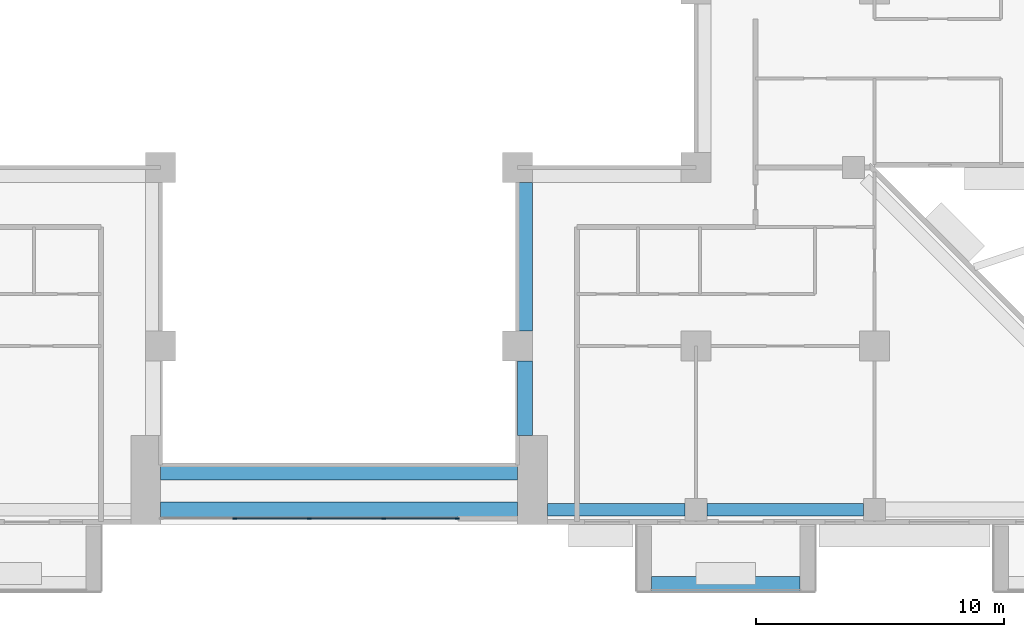
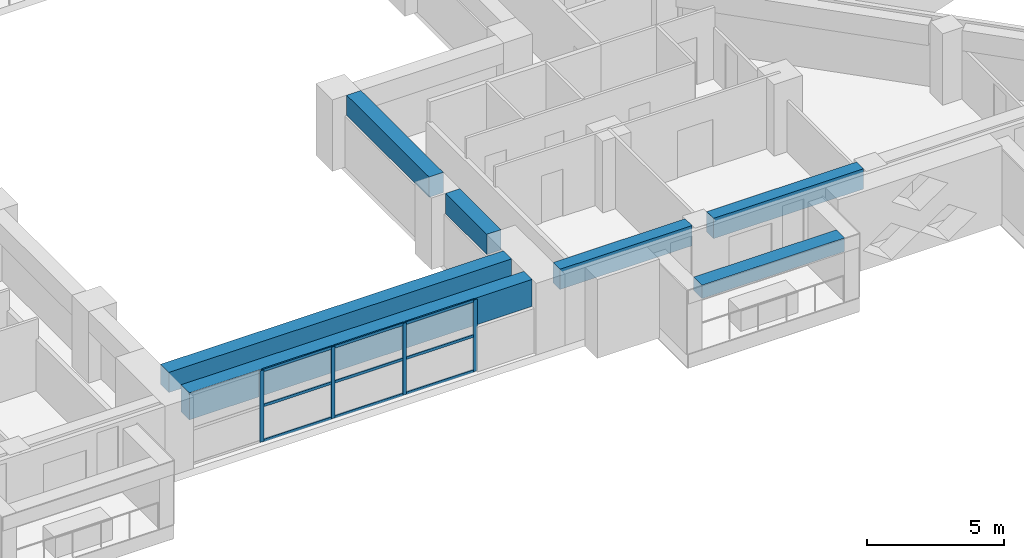
# One storey, part 4 of 17: 13 members, 7 beams, 1 element without a shape of its own.
"""IFC4 building model written with IfcOpenShell, lengths in metres."""

from ifc_helpers import new_model, si_unit, direction, frame, origin, origin_2d, place, context, subcontext, project, spatial, rectangle, extrude, source, transform, mapped, material, layer, layer_set, material_profile, profile_set, type_object, element, aggregate, save


model = new_model("IFC4")

# Units and contexts
model_context = context("Model", 3, precision=1e-05, world=origin(), true_north=direction((0.0, 1.0)))
body_context = subcontext(model_context, "Body", "Model", "MODEL_VIEW")
ifc_project = project(units=[si_unit("LENGTHUNIT", "METRE"), si_unit("AREAUNIT", "SQUARE_METRE"), si_unit("VOLUMEUNIT", "CUBIC_METRE"), si_unit("PLANEANGLEUNIT", "RADIAN"), si_unit("MASSUNIT", "GRAM", prefix="KILO")], contexts=[model_context])

# Site, building, storey
site_placement = place(None, origin())
site = spatial("IfcSite", under=ifc_project, at=site_placement, CompositionType="ELEMENT")
building_placement = place(site_placement, origin())
building = spatial("IfcBuilding", under=site, at=building_placement, Name="Saffron Iwan Residences", CompositionType="ELEMENT")
storey_placement = place(building_placement, frame((0.0, 0.0, 97.0)))
storey = spatial("IfcBuildingStorey", under=building, at=storey_placement, Name="L25", CompositionType="ELEMENT", Elevation=97.0)

# Beams
ifc_material_1 = material(Name="Concrete C60/75", Category="concrete")
ifc_material_profile_1 = material_profile(ifc_material_1, rectangle(XDim=0.60009765625, YDim=1.199951171875, at=origin_2d()), Name="RC 600x1200")
ifc_profile_set_1 = profile_set([ifc_material_profile_1], Name="Concrete C60/75")
beam_type_1 = type_object("IfcBeamType", Name="LINTEL BEAM RC 600x1200 C60/75 TOP 3180", PredefinedType="LINTEL", material=ifc_profile_set_1)
shared_shape_1 = source(origin(), body_context, "Body", "SweptSolid", [
    extrude(rectangle(XDim=0.60009765625, YDim=1.199951171875, at=origin_2d()), origin(), (0.0, 0.0, 1.0), 14.400146484375),
])
beam_1_placement = place(storey_placement, frame((57.60009765625, 34.199951171875, 2.580078125), z_axis=(-1.0, 0.0, 0.0), x_axis=(0.0, -1.0, 0.0)))
element("IfcBeam", 1, at=beam_1_placement, inside=storey, type_object=beam_type_1, Name="Lintel beam over the iwan", PredefinedType="LINTEL", context=body_context, shape_type="MappedRepresentation", body=[
    mapped(shared_shape_1, transform((0.0, 0.0, 0.0))),
])
ifc_material_profile_2 = material_profile(ifc_material_1, rectangle(XDim=0.60009765625, YDim=0.89990234375, at=origin_2d()), Name="RC 600x900")
ifc_profile_set_2 = profile_set([ifc_material_profile_2], Name="Concrete C60/75")
beam_type_2 = type_object("IfcBeamType", Name="BEAM RC 600x900 C60/75 TOP 3180", PredefinedType="BEAM", material=ifc_profile_set_2)
shared_shape_2 = source(origin(), body_context, "Body", "SweptSolid", [
    extrude(rectangle(XDim=0.60009765625, YDim=0.89990234375, at=origin_2d()), origin(), (0.0, 0.0, 1.0), 14.400146484375),
])
beam_2_placement = place(storey_placement, frame((57.60009765625, 35.699951171875, 2.72998046875), z_axis=(-1.0, 0.0, 0.0), x_axis=(0.0, -1.0, 0.0)))
element("IfcBeam", 2, at=beam_2_placement, inside=storey, type_object=beam_type_2, Name="Atrium edge beam", PredefinedType="BEAM", context=body_context, shape_type="MappedRepresentation", body=[
    mapped(shared_shape_2, transform((0.0, 0.0, 0.0))),
])
ifc_material_profile_3 = material_profile(ifc_material_1, rectangle(XDim=0.5, YDim=0.89990234375, at=origin_2d()), Name="RC 500x900")
ifc_profile_set_3 = profile_set([ifc_material_profile_3], Name="Concrete C60/75")
beam_type_3 = type_object("IfcBeamType", Name="SPANDREL BEAM RC 500x900 C60/75 TOP 3180", PredefinedType="SPANDREL", material=ifc_profile_set_3)
shared_shape_3 = source(origin(), body_context, "Body", "SweptSolid", [
    extrude(rectangle(XDim=0.5, YDim=0.89990234375, at=origin_2d()), origin(), (0.0, 0.0, 1.0), 6.300048828125),
])
beam_3_placement = place(storey_placement, frame((71.550048828125, 34.199951171875, 2.72998046875), z_axis=(-1.0, 0.0, 0.0), x_axis=(0.0, -1.0, 0.0)))
element("IfcBeam", 3, at=beam_3_placement, inside=storey, type_object=beam_type_3, Name="Spandrel beam", PredefinedType="SPANDREL", context=body_context, shape_type="MappedRepresentation", body=[
    mapped(shared_shape_3, transform((0.0, 0.0, 0.0))),
])
shared_shape_4 = source(origin(), body_context, "Body", "SweptSolid", [
    extrude(rectangle(XDim=0.5, YDim=0.89990234375, at=origin_2d()), origin(), (0.0, 0.0, 1.0), 5.550048828125),
])
beam_4_placement = place(storey_placement, frame((64.35009765625, 34.199951171875, 2.72998046875), z_axis=(-1.0, 0.0, 0.0), x_axis=(0.0, -1.0, 0.0)))
element("IfcBeam", 4, at=beam_4_placement, inside=storey, type_object=beam_type_3, Name="Spandrel beam", PredefinedType="SPANDREL", context=body_context, shape_type="MappedRepresentation", body=[
    mapped(shared_shape_4, transform((0.0, 0.0, 0.0))),
])
shared_shape_5 = source(origin(), body_context, "Body", "SweptSolid", [
    extrude(rectangle(XDim=0.60009765625, YDim=0.89990234375, at=origin_2d()), origin(), (0.0, 0.0, 1.0), 3.0),
])
beam_5_placement = place(storey_placement, frame((57.89990234375, 40.199951171875, 2.72998046875), z_axis=(0.0, -1.0, 0.0), x_axis=(1.0, 0.0, 0.0)))
element("IfcBeam", 5, at=beam_5_placement, inside=storey, type_object=beam_type_2, Name="Atrium edge beam", PredefinedType="BEAM", context=body_context, shape_type="MappedRepresentation", body=[
    mapped(shared_shape_5, transform((0.0, 0.0, 0.0))),
])
shared_shape_6 = source(origin(), body_context, "Body", "SweptSolid", [
    extrude(rectangle(XDim=0.60009765625, YDim=0.89990234375, at=origin_2d()), origin(), (0.0, 0.0, 1.0), 6.0),
])
beam_6_placement = place(storey_placement, frame((57.89990234375, 47.39990234375, 2.72998046875), z_axis=(0.0, -1.0, 0.0), x_axis=(1.0, 0.0, 0.0)))
element("IfcBeam", 6, at=beam_6_placement, inside=storey, type_object=beam_type_2, Name="Atrium edge beam", PredefinedType="BEAM", context=body_context, shape_type="MappedRepresentation", body=[
    mapped(shared_shape_6, transform((0.0, 0.0, 0.0))),
])

# Curtain wall, members
ifc_material_2 = material(Name="Clear glass, laminated double glazed", Category="glass")
ifc_layer = layer(ifc_material_2, 0.199951171875)
ifc_layer_set = layer_set([ifc_layer], Name="Clear glass, laminated double glazed")
curtain_wall_type = type_object("IfcCurtainWallType", Name="CW-B IWAN PORTAL", PredefinedType="NOTDEFINED", material=ifc_layer_set)
curtain_wall_placement = place(storey_placement, origin())
curtain_wall = element("IfcCurtainWall", 7, at=curtain_wall_placement, inside=storey, type_object=curtain_wall_type, Name="Iwan portal glazing L25.1", PredefinedType="NOTDEFINED")
ifc_material_3 = material(Name="Aluminium 6063-T6", Category="aluminium")
ifc_material_profile_4 = material_profile(ifc_material_3, rectangle(XDim=0.06005859375, YDim=0.159912109375, at=origin_2d()), Name="CW-B MULLION 60 x 160")
ifc_profile_set_4 = profile_set([ifc_material_profile_4], Name="Aluminium 6063-T6")
member_type_1 = type_object("IfcMemberType", Name="CW-B MULLION 60 x 160", PredefinedType="MULLION", material=ifc_profile_set_4)
shared_shape_7 = source(origin(), body_context, "Body", "SweptSolid", [
    extrude(rectangle(XDim=0.06005859375, YDim=0.159912109375, at=origin_2d()), origin(), (0.0, 0.0, 1.0), 3.179931640625),
])
member_1_placement = place(storey_placement, frame((46.199951171875, 33.85009765625, 0.0), z_axis=(0.0, 0.0, 1.0), x_axis=(0.0, 1.0, 0.0)))
member_1 = element("IfcMember", 8, at=member_1_placement, type_object=member_type_1, Name="CW-B mullion 2", PredefinedType="MULLION", context=body_context, shape_type="MappedRepresentation", body=[
    mapped(shared_shape_7, transform((0.0, 0.0, 0.0))),
])
member_2_placement = place(storey_placement, frame((49.199951171875, 33.85009765625, 0.0), z_axis=(0.0, 0.0, 1.0), x_axis=(0.0, 1.0, 0.0)))
member_2 = element("IfcMember", 9, at=member_2_placement, type_object=member_type_1, Name="CW-B mullion 3", PredefinedType="MULLION", context=body_context, shape_type="MappedRepresentation", body=[
    mapped(shared_shape_7, transform((0.0, 0.0, 0.0))),
])
member_3_placement = place(storey_placement, frame((52.199951171875, 33.85009765625, 0.0), z_axis=(0.0, 0.0, 1.0), x_axis=(0.0, 1.0, 0.0)))
member_3 = element("IfcMember", 10, at=member_3_placement, type_object=member_type_1, Name="CW-B mullion 4", PredefinedType="MULLION", context=body_context, shape_type="MappedRepresentation", body=[
    mapped(shared_shape_7, transform((0.0, 0.0, 0.0))),
])
member_4_placement = place(storey_placement, frame((55.169921875, 33.85009765625, 0.0), z_axis=(0.0, 0.0, 1.0), x_axis=(0.0, 1.0, 0.0)))
member_4 = element("IfcMember", 11, at=member_4_placement, type_object=member_type_1, Name="CW-B mullion 5", PredefinedType="MULLION", context=body_context, shape_type="MappedRepresentation", body=[
    mapped(shared_shape_7, transform((0.0, 0.0, 0.0))),
])
ifc_material_profile_5 = material_profile(ifc_material_3, rectangle(XDim=0.06005859375, YDim=0.1201171875, at=origin_2d()), Name="CW-B TRANSOM 60 x 120")
ifc_profile_set_5 = profile_set([ifc_material_profile_5], Name="Aluminium 6063-T6")
member_type_2 = type_object("IfcMemberType", Name="CW-B TRANSOM 60 x 120", PredefinedType="USERDEFINED", material=ifc_profile_set_5)
shared_shape_8 = source(origin(), body_context, "Body", "SweptSolid", [
    extrude(rectangle(XDim=0.06005859375, YDim=0.1201171875, at=origin_2d()), origin(), (0.0, 0.0, 1.0), 2.909912109375),
])
member_5_placement = place(storey_placement, frame((52.22998046875, 33.85009765625, 0.030029296875), z_axis=(1.0, 0.0, 0.0), x_axis=(0.0, 1.0, 0.0)))
member_5 = element("IfcMember", 12, at=member_5_placement, type_object=member_type_2, Name="CW-B transom 4.1", ObjectType="TRANSOM", PredefinedType="USERDEFINED", context=body_context, shape_type="MappedRepresentation", body=[
    mapped(shared_shape_8, transform((0.0, 0.0, 0.0))),
])
member_6_placement = place(storey_placement, frame((52.22998046875, 33.85009765625, 1.590087890625), z_axis=(1.0, 0.0, 0.0), x_axis=(0.0, 1.0, 0.0)))
member_6 = element("IfcMember", 13, at=member_6_placement, type_object=member_type_2, Name="CW-B transom 4.2", ObjectType="TRANSOM", PredefinedType="USERDEFINED", context=body_context, shape_type="MappedRepresentation", body=[
    mapped(shared_shape_8, transform((0.0, 0.0, 0.0))),
])
member_7_placement = place(storey_placement, frame((52.22998046875, 33.85009765625, 3.14990234375), z_axis=(1.0, 0.0, 0.0), x_axis=(0.0, 1.0, 0.0)))
member_7 = element("IfcMember", 14, at=member_7_placement, type_object=member_type_2, Name="CW-B transom 4.3", ObjectType="TRANSOM", PredefinedType="USERDEFINED", context=body_context, shape_type="MappedRepresentation", body=[
    mapped(shared_shape_8, transform((0.0, 0.0, 0.0))),
])
shared_shape_9 = source(origin(), body_context, "Body", "SweptSolid", [
    extrude(rectangle(XDim=0.06005859375, YDim=0.1201171875, at=origin_2d()), origin(), (0.0, 0.0, 1.0), 2.93994140625),
])
member_8_placement = place(storey_placement, frame((46.22998046875, 33.85009765625, 0.030029296875), z_axis=(1.0, 0.0, 0.0), x_axis=(0.0, 1.0, 0.0)))
member_8 = element("IfcMember", 15, at=member_8_placement, type_object=member_type_2, Name="CW-B transom 2.1", ObjectType="TRANSOM", PredefinedType="USERDEFINED", context=body_context, shape_type="MappedRepresentation", body=[
    mapped(shared_shape_9, transform((0.0, 0.0, 0.0))),
])
member_9_placement = place(storey_placement, frame((46.22998046875, 33.85009765625, 1.590087890625), z_axis=(1.0, 0.0, 0.0), x_axis=(0.0, 1.0, 0.0)))
member_9 = element("IfcMember", 16, at=member_9_placement, type_object=member_type_2, Name="CW-B transom 2.2", ObjectType="TRANSOM", PredefinedType="USERDEFINED", context=body_context, shape_type="MappedRepresentation", body=[
    mapped(shared_shape_9, transform((0.0, 0.0, 0.0))),
])
member_10_placement = place(storey_placement, frame((46.22998046875, 33.85009765625, 3.14990234375), z_axis=(1.0, 0.0, 0.0), x_axis=(0.0, 1.0, 0.0)))
member_10 = element("IfcMember", 17, at=member_10_placement, type_object=member_type_2, Name="CW-B transom 2.3", ObjectType="TRANSOM", PredefinedType="USERDEFINED", context=body_context, shape_type="MappedRepresentation", body=[
    mapped(shared_shape_9, transform((0.0, 0.0, 0.0))),
])
member_11_placement = place(storey_placement, frame((49.22998046875, 33.85009765625, 0.030029296875), z_axis=(1.0, 0.0, 0.0), x_axis=(0.0, 1.0, 0.0)))
member_11 = element("IfcMember", 18, at=member_11_placement, type_object=member_type_2, Name="CW-B transom 3.1", ObjectType="TRANSOM", PredefinedType="USERDEFINED", context=body_context, shape_type="MappedRepresentation", body=[
    mapped(shared_shape_9, transform((0.0, 0.0, 0.0))),
])
member_12_placement = place(storey_placement, frame((49.22998046875, 33.85009765625, 1.590087890625), z_axis=(1.0, 0.0, 0.0), x_axis=(0.0, 1.0, 0.0)))
member_12 = element("IfcMember", 19, at=member_12_placement, type_object=member_type_2, Name="CW-B transom 3.2", ObjectType="TRANSOM", PredefinedType="USERDEFINED", context=body_context, shape_type="MappedRepresentation", body=[
    mapped(shared_shape_9, transform((0.0, 0.0, 0.0))),
])
member_13_placement = place(storey_placement, frame((49.22998046875, 33.85009765625, 3.14990234375), z_axis=(1.0, 0.0, 0.0), x_axis=(0.0, 1.0, 0.0)))
member_13 = element("IfcMember", 20, at=member_13_placement, type_object=member_type_2, Name="CW-B transom 3.3", ObjectType="TRANSOM", PredefinedType="USERDEFINED", context=body_context, shape_type="MappedRepresentation", body=[
    mapped(shared_shape_9, transform((0.0, 0.0, 0.0))),
])
aggregate(curtain_wall, [member_1, member_2, member_3, member_4, member_8, member_9, member_10, member_11, member_12, member_13, member_5, member_6, member_7])

# Beam
ifc_material_4 = material(Name="Concrete C50/60 white painted", Category="concrete")
ifc_material_profile_6 = material_profile(ifc_material_4, rectangle(XDim=0.60009765625, YDim=0.60009765625, at=origin_2d()), Name="BALCONY FASCIA BEAM 600 x 600")
ifc_profile_set_6 = profile_set([ifc_material_profile_6], Name="Concrete C50/60 white painted")
beam_type_4 = type_object("IfcBeamType", Name="BALCONY FASCIA BEAM 600 x 600", PredefinedType="BEAM", material=ifc_profile_set_6)
shared_shape_10 = source(origin(), body_context, "Body", "SweptSolid", [
    extrude(rectangle(XDim=0.60009765625, YDim=0.60009765625, at=origin_2d()), origin(), (0.0, 0.0, 1.0), 6.0),
])
beam_7_placement = place(storey_placement, frame((63.0, 31.199951171875, 2.550048828125), z_axis=(1.0, 0.0, 0.0), x_axis=(0.0, 1.0, 0.0)))
element("IfcBeam", 21, at=beam_7_placement, inside=storey, type_object=beam_type_4, Name="Balcony fascia beam L25 11-2", PredefinedType="BEAM", context=body_context, shape_type="MappedRepresentation", body=[
    mapped(shared_shape_10, transform((0.0, 0.0, 0.0))),
])

save(model, "model.ifc")
